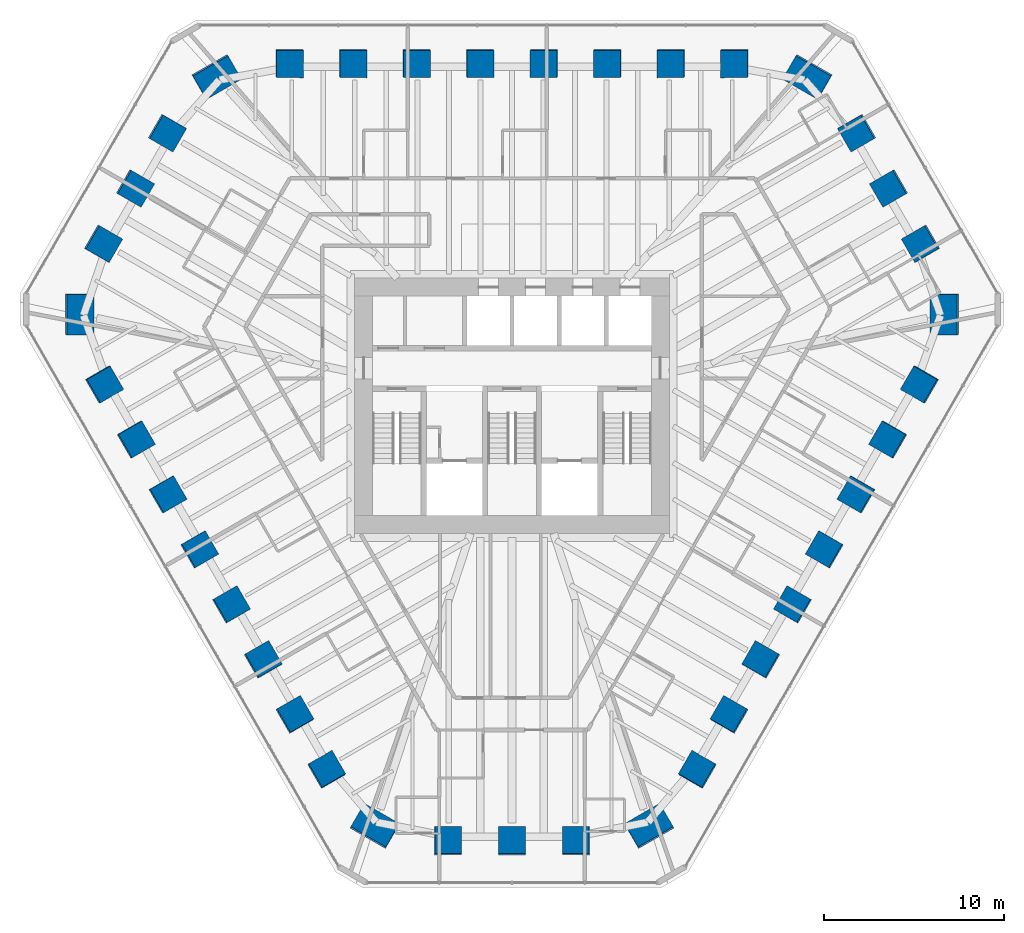
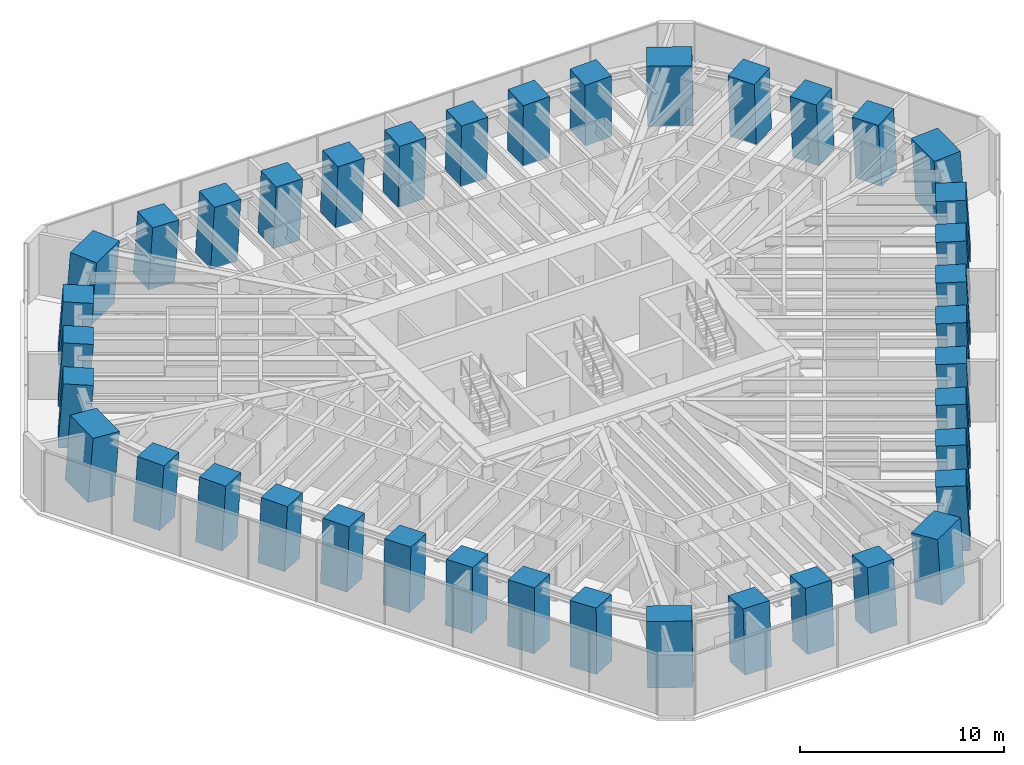
# One storey, part 1 of 16: 39 columns.
"""IFC4 building model written with IfcOpenShell, lengths in metres."""

from ifc_helpers import new_model, si_unit, direction, frame, origin, origin_2d, place, context, subcontext, project, spatial, rectangle, extrude, material, material_profile, profile_set, type_object, element, save


model = new_model("IFC4")

# Units and contexts
model_context = context("Model", 3, precision=1e-05, world=origin(), true_north=direction((0.0, 1.0)))
body_context = subcontext(model_context, "Body", "Model", "MODEL_VIEW")
ifc_project = project(units=[si_unit("LENGTHUNIT", "METRE"), si_unit("AREAUNIT", "SQUARE_METRE"), si_unit("VOLUMEUNIT", "CUBIC_METRE"), si_unit("PLANEANGLEUNIT", "RADIAN"), si_unit("MASSUNIT", "GRAM", prefix="KILO")], contexts=[model_context])

# Site, building, storey
site_placement = place(None, origin())
site = spatial("IfcSite", under=ifc_project, at=site_placement, CompositionType="ELEMENT")
building_placement = place(site_placement, origin())
building = spatial("IfcBuilding", under=site, at=building_placement, Name="Sandreach Pilgrim Tower", CompositionType="ELEMENT")
storey_placement = place(building_placement, frame((0.0, 0.0, 247.800048828125)))
storey = spatial("IfcBuildingStorey", under=building, at=storey_placement, Name="L62", CompositionType="ELEMENT", Elevation=247.800048828125)

# Columns
ifc_material_1 = material(Name="Concrete 10000 psi", Category="concrete")
ifc_material_profile_1 = material_profile(ifc_material_1, rectangle(XDim=1.5, YDim=1.5, at=origin_2d()), Name="RC1500X1500")
ifc_profile_set_1 = profile_set([ifc_material_profile_1], Name="Concrete 10000 psi")
column_type_1 = type_object("IfcColumnType", Name="Raked tube column RC1500X1500", PredefinedType="COLUMN", material=ifc_profile_set_1)
column_1_placement = place(storey_placement, frame((-12.3818359375, 19.065673828125, 0.0), z_axis=(0.035453144405, -0.054558093831, 0.997880999393), x_axis=(0.001658844363, 0.998510559324, 0.054533578224)))
element("IfcColumn", 1, at=column_1_placement, inside=storey, type_object=column_type_1, Name="COL L62 T01", PredefinedType="COLUMN", context=body_context, shape_type="SweptSolid", body=[
    extrude(rectangle(XDim=1.5, YDim=1.5, at=origin_2d()), origin(), (0.0, 0.0, 1.0), 3.80810546875),
])
column_2_placement = place(storey_placement, frame((-8.84423828125, 19.06591796875, 0.0), z_axis=(0.025267472337, -0.054511044381, 0.998193418573), x_axis=(0.001668047292, 0.998513126064, 0.054486279892)))
element("IfcColumn", 2, at=column_2_placement, inside=storey, type_object=column_type_1, Name="COL L62 T02", PredefinedType="COLUMN", context=body_context, shape_type="SweptSolid", body=[
    extrude(rectangle(XDim=1.5, YDim=1.5, at=origin_2d()), origin(), (0.0, 0.0, 1.0), 3.806884765625),
])
column_3_placement = place(storey_placement, frame((-5.306640625, 19.06640625, 0.0), z_axis=(0.015202005844, -0.054586105372, 0.998393337377), x_axis=(0.000673726901, 0.998509054749, 0.054582173615)))
element("IfcColumn", 3, at=column_3_placement, inside=storey, type_object=column_type_1, Name="COL L62 T03", PredefinedType="COLUMN", context=body_context, shape_type="SweptSolid", body=[
    extrude(rectangle(XDim=1.5, YDim=1.5, at=origin_2d()), origin(), (0.0, 0.0, 1.0), 3.80615234375),
])
for number, where, z_axis, x_axis, name in (
    (4, (-1.76904296875, 19.06689453125, 0.0), (0.005067855835, -0.054591712859, 0.998495899703), (0.000221054868, 0.998508758979, 0.054591293964), "COL L62 T04"),
    (5, (1.76904296875, 19.06689453125, 0.0), (-0.005067855835, -0.054591712859, 0.998495899703), (-0.000221054868, 0.998508758979, 0.054591293964), "COL L62 T05"),
):
    element("IfcColumn", number, at=place(storey_placement, frame(where, z_axis=z_axis, x_axis=x_axis)), inside=storey, type_object=column_type_1, Name=name, PredefinedType="COLUMN", context=body_context, shape_type="SweptSolid", body=[
        extrude(rectangle(XDim=1.5, YDim=1.5, at=origin_2d()), origin(), (0.0, 0.0, 1.0), 3.8056640625),
    ])
column_4_placement = place(storey_placement, frame((5.306640625, 19.06640625, 0.0), z_axis=(-0.015202005844, -0.054586105372, 0.998393337377), x_axis=(-0.000673726901, 0.998509054749, 0.054582173615)))
element("IfcColumn", 6, at=column_4_placement, inside=storey, type_object=column_type_1, Name="COL L62 T06", PredefinedType="COLUMN", context=body_context, shape_type="SweptSolid", body=[
    extrude(rectangle(XDim=1.5, YDim=1.5, at=origin_2d()), origin(), (0.0, 0.0, 1.0), 3.80615234375),
])
column_5_placement = place(storey_placement, frame((8.84423828125, 19.06591796875, 0.0), z_axis=(-0.025267472337, -0.054511044381, 0.998193418573), x_axis=(-0.001668047292, 0.998513126064, 0.054486279892)))
element("IfcColumn", 7, at=column_5_placement, inside=storey, type_object=column_type_1, Name="COL L62 T07", PredefinedType="COLUMN", context=body_context, shape_type="SweptSolid", body=[
    extrude(rectangle(XDim=1.5, YDim=1.5, at=origin_2d()), origin(), (0.0, 0.0, 1.0), 3.806884765625),
])
column_6_placement = place(storey_placement, frame((12.3818359375, 19.065673828125, 0.0), z_axis=(-0.035453144405, -0.054558093831, 0.997880999393), x_axis=(-0.001658844363, 0.998510559324, 0.054533578224)))
element("IfcColumn", 8, at=column_6_placement, inside=storey, type_object=column_type_1, Name="COL L62 T08", PredefinedType="COLUMN", context=body_context, shape_type="SweptSolid", body=[
    extrude(rectangle(XDim=1.5, YDim=1.5, at=origin_2d()), origin(), (0.0, 0.0, 1.0), 3.80810546875),
])
column_7_placement = place(storey_placement, frame((19.19873046875, 15.192138671875, 0.0), z_axis=(-0.054031272611, -0.04275072222, 0.997623675205), x_axis=(0.864377655023, 0.498201720113, 0.0681638876)))
element("IfcColumn", 9, at=column_7_placement, inside=storey, type_object=column_type_1, Name="COL L62 T10", PredefinedType="COLUMN", context=body_context, shape_type="SweptSolid", body=[
    extrude(rectangle(XDim=1.5, YDim=1.5, at=origin_2d()), origin(), (0.0, 0.0, 1.0), 3.80908203125),
])
column_8_placement = place(storey_placement, frame((20.977783203125, 12.111572265625, 0.0), z_axis=(-0.05903355077, -0.034099727481, 0.997673417742), x_axis=(0.863904737752, 0.499019891948, 0.068174419916)))
element("IfcColumn", 10, at=column_8_placement, inside=storey, type_object=column_type_1, Name="COL L62 T11", PredefinedType="COLUMN", context=body_context, shape_type="SweptSolid", body=[
    extrude(rectangle(XDim=1.5, YDim=1.5, at=origin_2d()), origin(), (0.0, 0.0, 1.0), 3.808837890625),
])
column_9_placement = place(storey_placement, frame((22.756103515625, 9.030517578125, 0.0), z_axis=(-0.064030037102, -0.025381275968, 0.99762515264), x_axis=(0.863863296252, 0.499095957848, 0.068142719709)))
element("IfcColumn", 11, at=column_9_placement, inside=storey, type_object=column_type_1, Name="COL L62 T12", PredefinedType="COLUMN", context=body_context, shape_type="SweptSolid", body=[
    extrude(rectangle(XDim=1.5, YDim=1.5, at=origin_2d()), origin(), (0.0, 0.0, 1.0), 3.80908203125),
])
column_10_placement = place(storey_placement, frame((22.7021484375, 1.190185546875, 0.0), z_axis=(-0.064944143672, -0.003397867339, 0.997883115751), x_axis=(0.863717362202, -0.501020333053, 0.054506367508)))
element("IfcColumn", 12, at=column_10_placement, inside=storey, type_object=column_type_1, Name="COL L62 T14", PredefinedType="COLUMN", context=body_context, shape_type="SweptSolid", body=[
    extrude(rectangle(XDim=1.5, YDim=1.5, at=origin_2d()), origin(), (0.0, 0.0, 1.0), 3.80810546875),
])
column_11_placement = place(storey_placement, frame((20.933837890625, -1.87353515625, 0.0), z_axis=(-0.059897832312, 0.00532282664, 0.998190321132), x_axis=(0.864360515204, -0.499907051006, 0.054532926851)))
element("IfcColumn", 13, at=column_11_placement, inside=storey, type_object=column_type_1, Name="COL L62 T15", PredefinedType="COLUMN", context=body_context, shape_type="SweptSolid", body=[
    extrude(rectangle(XDim=1.5, YDim=1.5, at=origin_2d()), origin(), (0.0, 0.0, 1.0), 3.806884765625),
])
column_12_placement = place(storey_placement, frame((19.165283203125, -4.9375, 0.0), z_axis=(-0.054842785927, 0.01411159404, 0.998395278307), x_axis=(0.864468470186, -0.499718567325, 0.054549221126)))
element("IfcColumn", 14, at=column_12_placement, inside=storey, type_object=column_type_1, Name="COL L62 T16", PredefinedType="COLUMN", context=body_context, shape_type="SweptSolid", body=[
    extrude(rectangle(XDim=1.5, YDim=1.5, at=origin_2d()), origin(), (0.0, 0.0, 1.0), 3.80615234375),
])
for number, where, z_axis, x_axis, name in (
    (15, (17.396728515625, -8.00146484375, 0.0), (-0.049780541004, 0.022901614869, 0.998497578251), (0.864550428714, -0.499575489983, 0.054560846939), "COL L62 T17"),
    (16, (15.6279296875, -11.0654296875, 0.0), (-0.044712656409, 0.031690175417, 0.998497126255), (0.864640740024, -0.499418271355, 0.05456904734), "COL L62 T18"),
):
    element("IfcColumn", number, at=place(storey_placement, frame(where, z_axis=z_axis, x_axis=x_axis)), inside=storey, type_object=column_type_1, Name=name, PredefinedType="COLUMN", context=body_context, shape_type="SweptSolid", body=[
        extrude(rectangle(XDim=1.5, YDim=1.5, at=origin_2d()), origin(), (0.0, 0.0, 1.0), 3.8056640625),
    ])
column_13_placement = place(storey_placement, frame((13.858642578125, -14.12890625, 0.0), z_axis=(-0.039640799541, 0.040410523804, 0.998396512703), x_axis=(0.865172391042, -0.498501156812, 0.054528253547)))
element("IfcColumn", 17, at=column_13_placement, inside=storey, type_object=column_type_1, Name="COL L62 T19", PredefinedType="COLUMN", context=body_context, shape_type="SweptSolid", body=[
    extrude(rectangle(XDim=1.5, YDim=1.5, at=origin_2d()), origin(), (0.0, 0.0, 1.0), 3.80615234375),
])
column_14_placement = place(storey_placement, frame((12.089599609375, -17.1923828125, 0.0), z_axis=(-0.034630392521, 0.049187983451, 0.998188999237), x_axis=(0.865710635042, -0.497563147718, 0.054552822179)))
element("IfcColumn", 18, at=column_14_placement, inside=storey, type_object=column_type_1, Name="COL L62 T20", PredefinedType="COLUMN", context=body_context, shape_type="SweptSolid", body=[
    extrude(rectangle(XDim=1.5, YDim=1.5, at=origin_2d()), origin(), (0.0, 0.0, 1.0), 3.806884765625),
])
column_15_placement = place(storey_placement, frame((10.3203125, -20.255615234375, 0.0), z_axis=(-0.029491043411, 0.057892200435, 0.997887153684), x_axis=(0.865668523854, -0.497647188035, 0.054454412577)))
element("IfcColumn", 19, at=column_15_placement, inside=storey, type_object=column_type_1, Name="COL L62 T21", PredefinedType="COLUMN", context=body_context, shape_type="SweptSolid", body=[
    extrude(rectangle(XDim=1.5, YDim=1.5, at=origin_2d()), origin(), (0.0, 0.0, 1.0), 3.80810546875),
])
column_16_placement = place(storey_placement, frame((3.557373046875, -24.22265625, 0.0), z_axis=(-0.009998651304, 0.068195929409, 0.997621843277), x_axis=(-0.00092065377, -0.997671919624, 0.068190125313)))
element("IfcColumn", 20, at=column_16_placement, inside=storey, type_object=column_type_1, Name="COL L62 T23", PredefinedType="COLUMN", context=body_context, shape_type="SweptSolid", body=[
    extrude(rectangle(XDim=1.5, YDim=1.5, at=origin_2d()), origin(), (0.0, 0.0, 1.0), 3.80908203125),
])
column_17_placement = place(storey_placement, frame((0.0, -24.22314453125, 0.0), z_axis=(0.0, 0.068199338541, 0.997671714655), x_axis=(0.0, -0.997671714655, 0.068199338541)))
element("IfcColumn", 21, at=column_17_placement, inside=storey, type_object=column_type_1, Name="COL L62 T24", PredefinedType="COLUMN", context=body_context, shape_type="SweptSolid", body=[
    extrude(rectangle(XDim=1.5, YDim=1.5, at=origin_2d()), origin(), (0.0, 0.0, 1.0), 3.808837890625),
])
column_18_placement = place(storey_placement, frame((-3.557373046875, -24.22265625, 0.0), z_axis=(0.009998651304, 0.068195929409, 0.997621843277), x_axis=(0.00092065377, -0.997671919624, 0.068190125313)))
element("IfcColumn", 22, at=column_18_placement, inside=storey, type_object=column_type_1, Name="COL L62 T25", PredefinedType="COLUMN", context=body_context, shape_type="SweptSolid", body=[
    extrude(rectangle(XDim=1.5, YDim=1.5, at=origin_2d()), origin(), (0.0, 0.0, 1.0), 3.80908203125),
])
column_19_placement = place(storey_placement, frame((-10.3203125, -20.255615234375, 0.0), z_axis=(0.029491043411, 0.057892200435, 0.997887153684), x_axis=(-0.865668523854, -0.497647188035, 0.054454412577)))
element("IfcColumn", 23, at=column_19_placement, inside=storey, type_object=column_type_1, Name="COL L62 T27", PredefinedType="COLUMN", context=body_context, shape_type="SweptSolid", body=[
    extrude(rectangle(XDim=1.5, YDim=1.5, at=origin_2d()), origin(), (0.0, 0.0, 1.0), 3.80810546875),
])
column_20_placement = place(storey_placement, frame((-12.089599609375, -17.1923828125, 0.0), z_axis=(0.034630392521, 0.049187983451, 0.998188999237), x_axis=(-0.865710635042, -0.497563147718, 0.054552822179)))
element("IfcColumn", 24, at=column_20_placement, inside=storey, type_object=column_type_1, Name="COL L62 T28", PredefinedType="COLUMN", context=body_context, shape_type="SweptSolid", body=[
    extrude(rectangle(XDim=1.5, YDim=1.5, at=origin_2d()), origin(), (0.0, 0.0, 1.0), 3.806884765625),
])
column_21_placement = place(storey_placement, frame((-13.858642578125, -14.12890625, 0.0), z_axis=(0.039640799541, 0.040410523804, 0.998396512703), x_axis=(-0.865172391042, -0.498501156812, 0.054528253547)))
element("IfcColumn", 25, at=column_21_placement, inside=storey, type_object=column_type_1, Name="COL L62 T29", PredefinedType="COLUMN", context=body_context, shape_type="SweptSolid", body=[
    extrude(rectangle(XDim=1.5, YDim=1.5, at=origin_2d()), origin(), (0.0, 0.0, 1.0), 3.80615234375),
])
for number, where, z_axis, x_axis, name in (
    (26, (-15.6279296875, -11.0654296875, 0.0), (0.044712656409, 0.031690175417, 0.998497126255), (-0.864640740024, -0.499418271355, 0.05456904734), "COL L62 T30"),
    (27, (-17.396728515625, -8.00146484375, 0.0), (0.049780541004, 0.022901614869, 0.998497578251), (-0.864550428714, -0.499575489983, 0.054560846939), "COL L62 T31"),
):
    element("IfcColumn", number, at=place(storey_placement, frame(where, z_axis=z_axis, x_axis=x_axis)), inside=storey, type_object=column_type_1, Name=name, PredefinedType="COLUMN", context=body_context, shape_type="SweptSolid", body=[
        extrude(rectangle(XDim=1.5, YDim=1.5, at=origin_2d()), origin(), (0.0, 0.0, 1.0), 3.8056640625),
    ])
column_22_placement = place(storey_placement, frame((-19.165283203125, -4.9375, 0.0), z_axis=(0.054842785927, 0.01411159404, 0.998395278307), x_axis=(-0.864468470186, -0.499718567325, 0.054549221126)))
element("IfcColumn", 28, at=column_22_placement, inside=storey, type_object=column_type_1, Name="COL L62 T32", PredefinedType="COLUMN", context=body_context, shape_type="SweptSolid", body=[
    extrude(rectangle(XDim=1.5, YDim=1.5, at=origin_2d()), origin(), (0.0, 0.0, 1.0), 3.80615234375),
])
column_23_placement = place(storey_placement, frame((-20.933837890625, -1.87353515625, 0.0), z_axis=(0.059897832312, 0.00532282664, 0.998190321132), x_axis=(-0.864360515204, -0.499907051006, 0.054532926851)))
element("IfcColumn", 29, at=column_23_placement, inside=storey, type_object=column_type_1, Name="COL L62 T33", PredefinedType="COLUMN", context=body_context, shape_type="SweptSolid", body=[
    extrude(rectangle(XDim=1.5, YDim=1.5, at=origin_2d()), origin(), (0.0, 0.0, 1.0), 3.806884765625),
])
column_24_placement = place(storey_placement, frame((-22.7021484375, 1.190185546875, 0.0), z_axis=(0.064944143672, -0.003397867339, 0.997883115751), x_axis=(-0.863717362202, -0.501020333053, 0.054506367508)))
element("IfcColumn", 30, at=column_24_placement, inside=storey, type_object=column_type_1, Name="COL L62 T34", PredefinedType="COLUMN", context=body_context, shape_type="SweptSolid", body=[
    extrude(rectangle(XDim=1.5, YDim=1.5, at=origin_2d()), origin(), (0.0, 0.0, 1.0), 3.80810546875),
])
column_25_placement = place(storey_placement, frame((-22.756103515625, 9.030517578125, 0.0), z_axis=(0.064030037102, -0.025381275968, 0.99762515264), x_axis=(-0.863863296252, 0.499095957848, 0.068142719709)))
element("IfcColumn", 31, at=column_25_placement, inside=storey, type_object=column_type_1, Name="COL L62 T36", PredefinedType="COLUMN", context=body_context, shape_type="SweptSolid", body=[
    extrude(rectangle(XDim=1.5, YDim=1.5, at=origin_2d()), origin(), (0.0, 0.0, 1.0), 3.80908203125),
])
column_26_placement = place(storey_placement, frame((-20.977783203125, 12.111572265625, 0.0), z_axis=(0.05903355077, -0.034099727481, 0.997673417742), x_axis=(-0.863904737752, 0.499019891948, 0.068174419916)))
element("IfcColumn", 32, at=column_26_placement, inside=storey, type_object=column_type_1, Name="COL L62 T37", PredefinedType="COLUMN", context=body_context, shape_type="SweptSolid", body=[
    extrude(rectangle(XDim=1.5, YDim=1.5, at=origin_2d()), origin(), (0.0, 0.0, 1.0), 3.808837890625),
])
column_27_placement = place(storey_placement, frame((-19.19873046875, 15.192138671875, 0.0), z_axis=(0.054031272611, -0.04275072222, 0.997623675205), x_axis=(-0.864377655023, 0.498201720113, 0.0681638876)))
element("IfcColumn", 33, at=column_27_placement, inside=storey, type_object=column_type_1, Name="COL L62 T38", PredefinedType="COLUMN", context=body_context, shape_type="SweptSolid", body=[
    extrude(rectangle(XDim=1.5, YDim=1.5, at=origin_2d()), origin(), (0.0, 0.0, 1.0), 3.80908203125),
])
ifc_material_2 = material(Name="Concrete 10000 psi", Category="concrete")
ifc_material_profile_2 = material_profile(ifc_material_2, rectangle(XDim=1.5, YDim=2.25, at=origin_2d()), Name="RC1500X2250")
ifc_profile_set_2 = profile_set([ifc_material_profile_2], Name="Concrete 10000 psi")
column_type_2 = type_object("IfcColumnType", Name="Raked tube corner pier RC1500X2250", PredefinedType="COLUMN", material=ifc_profile_set_2)
for number, where, z_axis, x_axis, name in (
    (34, (16.451416015625, 18.3212890625, 0.0), (-0.047486447242, -0.052869526282, 0.997471729183), (0.498019754644, 0.864374186846, 0.069524018139), "COL L62 T09"),
    (35, (24.09228515625, 5.086669921875, 0.0), (-0.069531443306, -0.014675300016, 0.997471811111), (0.99757975799, -0.001092604117, 0.069522893098), "COL L62 T13"),
):
    element("IfcColumn", number, at=place(storey_placement, frame(where, z_axis=z_axis, x_axis=x_axis)), inside=storey, type_object=column_type_2, Name=name, PredefinedType="COLUMN", context=body_context, shape_type="SweptSolid", body=[
        extrude(rectangle(XDim=1.5, YDim=2.25, at=origin_2d()), origin(), (0.0, 0.0, 1.0), 3.8095703125),
    ])
for number, where, z_axis, x_axis, name in (
    (36, (7.640869140625, -23.407958984375, 0.0), (-0.022044915436, 0.067608679607, 0.99746833942), (0.499393469697, -0.863577501407, 0.069570550438), "COL L62 T22"),
    (37, (-7.640869140625, -23.407958984375, 0.0), (0.022044915436, 0.067608679607, 0.99746833942), (-0.499393469697, -0.863577501407, 0.069570550438), "COL L62 T26"),
):
    element("IfcColumn", number, at=place(storey_placement, frame(where, z_axis=z_axis, x_axis=x_axis)), inside=storey, type_object=column_type_2, Name=name, PredefinedType="COLUMN", context=body_context, shape_type="SweptSolid", body=[
        extrude(rectangle(XDim=1.5, YDim=2.25, at=origin_2d()), origin(), (0.0, 0.0, 1.0), 3.809814453125),
    ])
for number, where, z_axis, x_axis, name in (
    (38, (-24.09228515625, 5.086669921875, 0.0), (0.069531443306, -0.014675300016, 0.997471811111), (-0.99757975799, -0.001092604117, 0.069522893098), "COL L62 T35"),
    (39, (-16.451416015625, 18.3212890625, 0.0), (0.047486447242, -0.052869526282, 0.997471729183), (-0.498019754644, 0.864374186846, 0.069524018139), "COL L62 T39"),
):
    element("IfcColumn", number, at=place(storey_placement, frame(where, z_axis=z_axis, x_axis=x_axis)), inside=storey, type_object=column_type_2, Name=name, PredefinedType="COLUMN", context=body_context, shape_type="SweptSolid", body=[
        extrude(rectangle(XDim=1.5, YDim=2.25, at=origin_2d()), origin(), (0.0, 0.0, 1.0), 3.8095703125),
    ])

save(model, "model.ifc")
